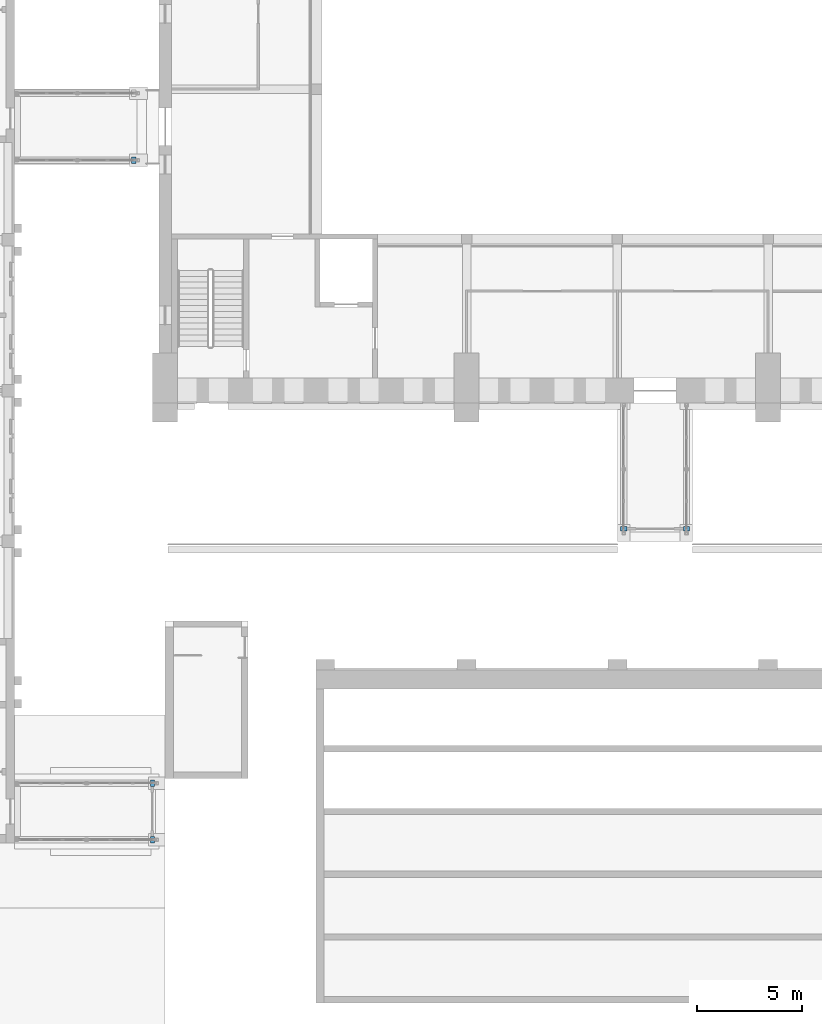
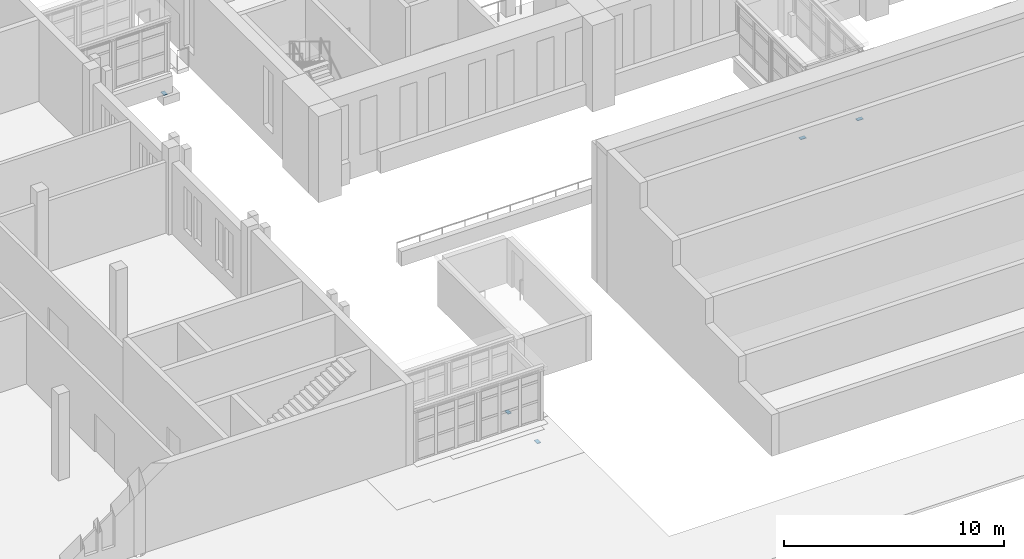
# One storey, part 105 of 131: 5 discrete accessories.
"""IFC4 building model written with IfcOpenShell, lengths in metres."""

from ifc_helpers import new_model, si_unit, direction, frame, origin, origin_2d, place, context, subcontext, project, spatial, rectangle, extrude, material, material_profile, profile_set, type_object, element, save


model = new_model("IFC4")

# Units and contexts
model_context = context("Model", 3, precision=1e-05, world=origin(), true_north=direction((0.0, 1.0)))
body_context = subcontext(model_context, "Body", "Model", "MODEL_VIEW")
ifc_project = project(units=[si_unit("LENGTHUNIT", "METRE"), si_unit("AREAUNIT", "SQUARE_METRE"), si_unit("VOLUMEUNIT", "CUBIC_METRE"), si_unit("PLANEANGLEUNIT", "RADIAN"), si_unit("MASSUNIT", "GRAM", prefix="KILO")], contexts=[model_context])

# Site, building, storey
site_placement = place(None, origin())
site = spatial("IfcSite", under=ifc_project, at=site_placement, CompositionType="ELEMENT")
building_placement = place(site_placement, origin())
building = spatial("IfcBuilding", under=site, at=building_placement, Name="Alderwick Market Hall", CompositionType="ELEMENT")
storey_placement = place(building_placement, frame((0.0, 0.0, 4.800048828125)))
storey = spatial("IfcBuildingStorey", under=building, at=storey_placement, Name="L00", CompositionType="ELEMENT", Elevation=4.800048828125)

# Discrete accessories
ifc_material = material(Name="PTFE-faced stainless steel sliding bearing on steel plate, ASTM A709 Grade 50", Category="steel")
ifc_material_profile = material_profile(ifc_material, rectangle(XDim=0.300048828125, YDim=0.030029296875, at=origin_2d()), Name="P Sliding Bearing 300x200x30")
ifc_profile_set = profile_set([ifc_material_profile], Name="PTFE-faced stainless steel sliding bearing on steel plate, ASTM A709 Grade 50")
discrete_accessory_type = type_object("IfcDiscreteAccessoryType", Name="P Sliding Bearing 300x200x30", PredefinedType="SHOE", material=ifc_profile_set)
for number, where, z_axis, x_axis, name in (
    (1, (72.300048828125, 43.89990234375, -1.1650390625), (0.0, -1.0, 0.0), (1.0, 0.0, 0.0), "Sliding bearing"),
    (2, (75.300048828125, 43.89990234375, -1.1650390625), (0.0, -1.0, 0.0), (1.0, 0.0, 0.0), "Sliding bearing"),
    (3, (48.800048828125, 61.39990234375, -1.1650390625), (1.0, 0.0, 0.0), (0.0, 1.0, 0.0), "Sliding bearing"),
    (4, (49.699951171875, 28.949951171875, -1.1650390625), (1.0, 0.0, 0.0), (0.0, 1.0, 0.0), "Sliding bearing"),
    (5, (49.699951171875, 31.64990234375, -1.1650390625), (1.0, 0.0, 0.0), (0.0, 1.0, 0.0), "Sliding bearing"),
):
    element("IfcDiscreteAccessory", number, at=place(storey_placement, frame(where, z_axis=z_axis, x_axis=x_axis)), inside=storey, type_object=discrete_accessory_type, Name=name, PredefinedType="SHOE", context=body_context, shape_type="SweptSolid", body=[
        extrude(rectangle(XDim=0.300048828125, YDim=0.030029296875, at=origin_2d()), origin(), (0.0, 0.0, 1.0), 0.199951171875),
    ])

save(model, "model.ifc")
